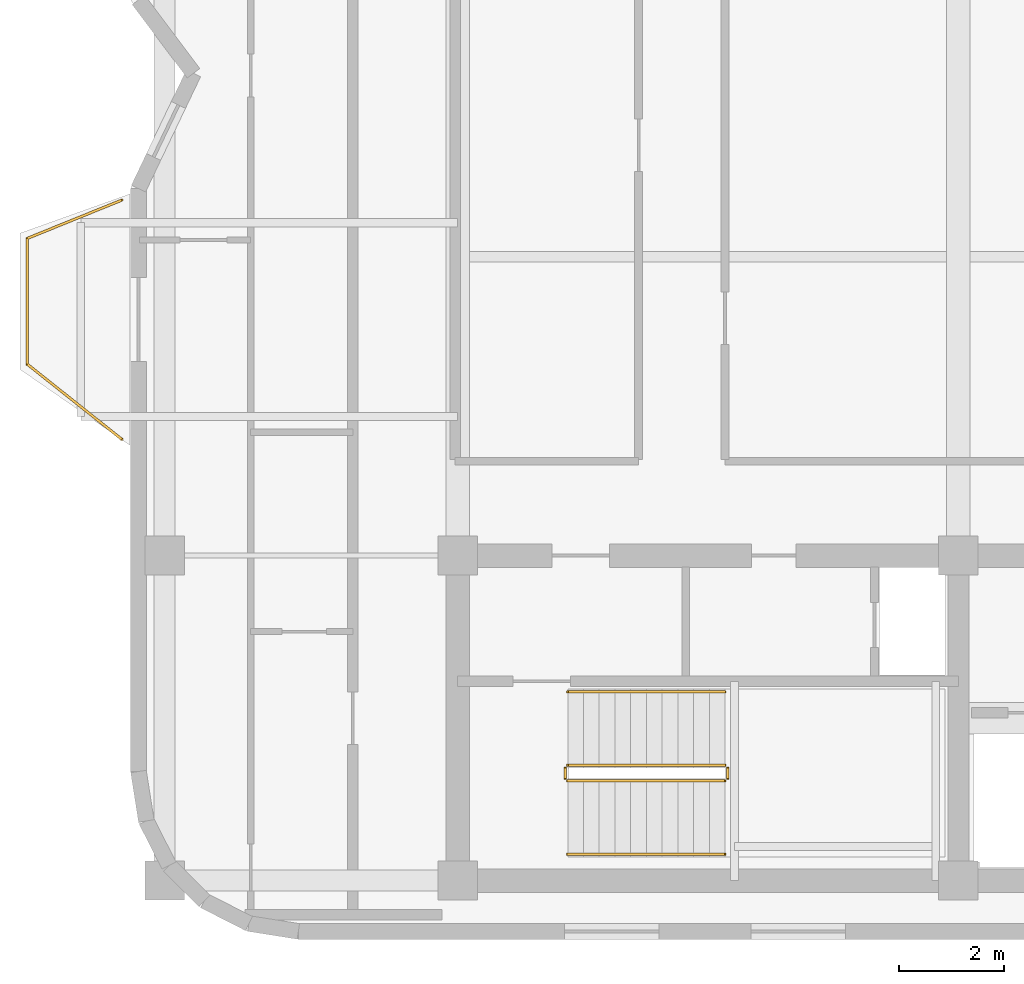
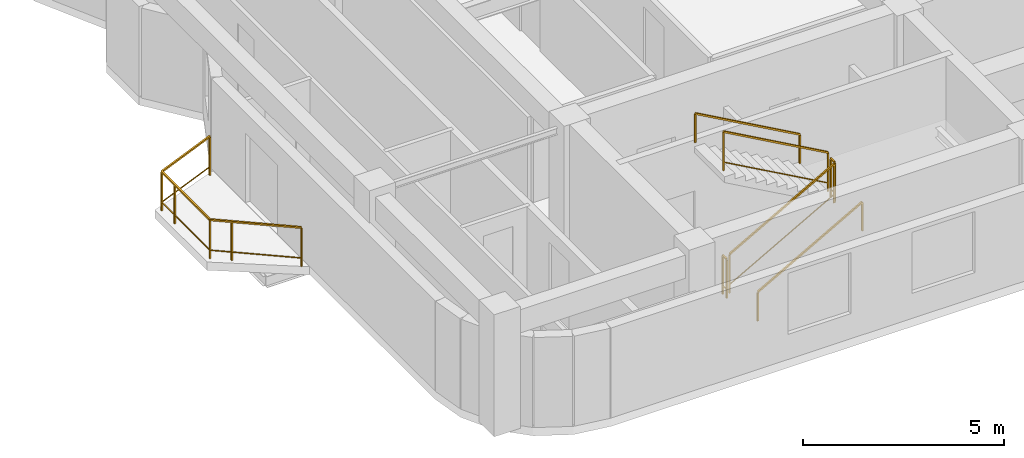
# One storey, part 7 of 8: 7 railings.
"""IFC4 building model written with IfcOpenShell, lengths in metres."""

from ifc_helpers import new_model, si_unit, direction, frame, origin, origin_2d, place, context, subcontext, project, spatial, rectangle, extrude, material, type_object, element, save


model = new_model("IFC4")

# Units and contexts
model_context = context("Model", 3, precision=1e-05, world=origin(), true_north=direction((0.0, 1.0)))
body_context = subcontext(model_context, "Body", "Model", "MODEL_VIEW")
ifc_project = project(units=[si_unit("LENGTHUNIT", "METRE"), si_unit("AREAUNIT", "SQUARE_METRE"), si_unit("VOLUMEUNIT", "CUBIC_METRE"), si_unit("PLANEANGLEUNIT", "RADIAN"), si_unit("MASSUNIT", "GRAM", prefix="KILO")], contexts=[model_context])

# Site, building, storey
site_placement = place(None, origin())
site = spatial("IfcSite", under=ifc_project, at=site_placement, CompositionType="ELEMENT")
building_placement = place(site_placement, origin())
building = spatial("IfcBuilding", under=site, at=building_placement, Name="Svetorya Sky Lyceum", CompositionType="ELEMENT")
storey_placement = place(building_placement, frame((0.0, 0.0, 278.699951171875)))
storey = spatial("IfcBuildingStorey", under=building, at=storey_placement, Name="L70", CompositionType="ELEMENT", Elevation=278.699951171875)

# Railings
ifc_material_1 = material(Name="Laminated safety glass and stainless AISI 316", Category="glass")
railing_type_1 = type_object("IfcRailingType", Name="RL-BAL-1200", PredefinedType="BALUSTRADE", material=ifc_material_1)
railing_1_placement = place(storey_placement, frame((19.18994140625, 19.02001953125, 0.0)))
element("IfcRailing", 1, at=railing_1_placement, inside=storey, type_object=railing_type_1, Name="L70 Balcony Balustrade BAL-W1", PredefinedType="BALUSTRADE", context=body_context, shape_type="SweptSolid", body=[
    extrude(rectangle(XDim=0.048095703125, YDim=0.048095703125, at=origin_2d()), frame((0.0, 0.0, 1.17578125), z_axis=(-0.783008919264, 0.622010476079, 0.0), x_axis=(-0.622010476079, -0.783008919264, 0.0)), (0.0, 0.0, 1.0), 2.298828125),
    extrude(rectangle(XDim=0.02392578125, YDim=0.02392578125, at=origin_2d()), frame((0.0, 0.0, 0.25), z_axis=(-0.783008919264, 0.622010476079, 0.0), x_axis=(-0.622010476079, -0.783008919264, 0.0)), (0.0, 0.0, 1.0), 2.298828125),
    extrude(rectangle(XDim=0.048095703125, YDim=0.048095703125, at=origin_2d()), frame((-1.800048828125, 1.429931640625, 1.17578125), z_axis=(0.0, 1.0, 0.0), x_axis=(-1.0, 0.0, 0.0)), (0.0, 0.0, 1.0), 2.400146484375),
    extrude(rectangle(XDim=0.02392578125, YDim=0.02392578125, at=origin_2d()), frame((-1.800048828125, 1.429931640625, 0.25), z_axis=(0.0, 1.0, 0.0), x_axis=(-1.0, 0.0, 0.0)), (0.0, 0.0, 1.0), 2.400146484375),
    extrude(rectangle(XDim=0.048095703125, YDim=0.048095703125, at=origin_2d()), frame((-1.800048828125, 3.830078125, 1.17578125), z_axis=(0.926697865975, 0.375807218129, 0.0), x_axis=(-0.375807218129, 0.926697865975, 0.0)), (0.0, 0.0, 1.0), 1.9423828125),
    extrude(rectangle(XDim=0.02392578125, YDim=0.02392578125, at=origin_2d()), frame((-1.800048828125, 3.830078125, 0.25), z_axis=(0.926697865975, 0.375807218129, 0.0), x_axis=(-0.375807218129, 0.926697865975, 0.0)), (0.0, 0.0, 1.0), 1.9423828125),
    extrude(rectangle(XDim=0.0419921875, YDim=0.0419921875, at=origin_2d()), origin(), (0.0, 0.0, 1.0), 1.15185546875),
    extrude(rectangle(XDim=0.0419921875, YDim=0.0419921875, at=origin_2d()), frame((-1.370361328125, 1.088623046875, 0.0)), (0.0, 0.0, 1.0), 1.15185546875),
    extrude(rectangle(XDim=0.0419921875, YDim=0.0419921875, at=origin_2d()), frame((-1.800048828125, 1.429931640625, 0.0)), (0.0, 0.0, 1.0), 1.15185546875),
    extrude(rectangle(XDim=0.0419921875, YDim=0.0419921875, at=origin_2d()), frame((-1.800048828125, 3.179931640625, 0.0)), (0.0, 0.0, 1.0), 1.15185546875),
    extrude(rectangle(XDim=0.0419921875, YDim=0.0419921875, at=origin_2d()), frame((-1.800048828125, 3.830078125, 0.0)), (0.0, 0.0, 1.0), 1.15185546875),
    extrude(rectangle(XDim=0.0419921875, YDim=0.0419921875, at=origin_2d()), frame((0.0, 4.56005859375, 0.0)), (0.0, 0.0, 1.0), 1.15185546875),
])
ifc_material_2 = material(Name="Painted galvanized stair well guard")
railing_type_2 = type_object("IfcRailingType", Name="RL-STR-GUARD-1200", PredefinedType="GUARDRAIL", material=ifc_material_2)
railing_2_placement = place(storey_placement, frame((27.699951171875, 12.5, 0.168212890625)))
element("IfcRailing", 2, at=railing_2_placement, inside=storey, type_object=railing_type_2, Name="L70 ST-S stair guard 1", PredefinedType="GUARDRAIL", context=body_context, shape_type="SweptSolid", body=[
    extrude(rectangle(XDim=0.048095703125, YDim=0.048095703125, at=origin_2d()), frame((0.0, 0.0, 1.17578125), z_axis=(0.872272294576, 0.0, 0.489020494575), x_axis=(0.0, 1.0, 0.0)), (0.0, 0.0, 1.0), 3.439208984375),
    extrude(rectangle(XDim=0.02392578125, YDim=0.02392578125, at=origin_2d()), frame((0.0, 0.0, 0.25), z_axis=(0.872272294576, 0.0, 0.489020494575), x_axis=(0.0, 1.0, 0.0)), (0.0, 0.0, 1.0), 3.439208984375),
    extrude(rectangle(XDim=0.0419921875, YDim=0.0419921875, at=origin_2d()), origin(), (0.0, 0.0, 1.0), 1.15185546875),
    extrude(rectangle(XDim=0.0419921875, YDim=0.0419921875, at=origin_2d()), frame((3.0, 0.0, 1.681884765625)), (0.0, 0.0, 1.0), 1.15185546875),
])
railing_3_placement = place(storey_placement, frame((30.75, 12.550048828125, 1.85009765625)))
element("IfcRailing", 3, at=railing_3_placement, inside=storey, type_object=railing_type_2, Name="L70 ST-S stair guard 2", PredefinedType="GUARDRAIL", context=body_context, shape_type="SweptSolid", body=[
    extrude(rectangle(XDim=0.048095703125, YDim=0.048095703125, at=origin_2d()), frame((0.0, 0.0, 1.17578125), z_axis=(0.0, 1.0, 0.0), x_axis=(-1.0, 0.0, 0.0)), (0.0, 0.0, 1.0), 0.199951171875),
    extrude(rectangle(XDim=0.02392578125, YDim=0.02392578125, at=origin_2d()), frame((0.0, 0.0, 0.25), z_axis=(0.0, 1.0, 0.0), x_axis=(-1.0, 0.0, 0.0)), (0.0, 0.0, 1.0), 0.199951171875),
    extrude(rectangle(XDim=0.0419921875, YDim=0.0419921875, at=origin_2d()), origin(), (0.0, 0.0, 1.0), 1.15185546875),
    extrude(rectangle(XDim=0.0419921875, YDim=0.0419921875, at=origin_2d()), frame((0.0, 0.199951171875, 0.0)), (0.0, 0.0, 1.0), 1.15185546875),
])
railing_4_placement = place(storey_placement, frame((30.699951171875, 12.800048828125, 2.018310546875)))
element("IfcRailing", 4, at=railing_4_placement, inside=storey, type_object=railing_type_2, Name="L70 ST-S stair guard 3", PredefinedType="GUARDRAIL", context=body_context, shape_type="SweptSolid", body=[
    extrude(rectangle(XDim=0.048095703125, YDim=0.048095703125, at=origin_2d()), frame((0.0, 0.0, 1.17578125), z_axis=(-0.872302573547, 0.0, 0.488966481656), x_axis=(0.0, -1.0, 0.0)), (0.0, 0.0, 1.0), 3.439208984375),
    extrude(rectangle(XDim=0.02392578125, YDim=0.02392578125, at=origin_2d()), frame((0.0, 0.0, 0.25), z_axis=(-0.872302573547, 0.0, 0.488966481656), x_axis=(0.0, -1.0, 0.0)), (0.0, 0.0, 1.0), 3.439208984375),
    extrude(rectangle(XDim=0.0419921875, YDim=0.0419921875, at=origin_2d()), origin(), (0.0, 0.0, 1.0), 1.15185546875),
    extrude(rectangle(XDim=0.0419921875, YDim=0.0419921875, at=origin_2d()), frame((-3.0, 0.0, 1.681640625)), (0.0, 0.0, 1.0), 1.15185546875),
])
railing_5_placement = place(storey_placement, frame((27.64990234375, 12.550048828125, 0.0)))
element("IfcRailing", 5, at=railing_5_placement, inside=storey, type_object=railing_type_2, Name="L70 ST-S stair guard 4", PredefinedType="GUARDRAIL", context=body_context, shape_type="SweptSolid", body=[
    extrude(rectangle(XDim=0.048095703125, YDim=0.048095703125, at=origin_2d()), frame((0.0, 0.0, 1.17578125), z_axis=(0.0, 1.0, 0.0), x_axis=(-1.0, 0.0, 0.0)), (0.0, 0.0, 1.0), 0.199951171875),
    extrude(rectangle(XDim=0.02392578125, YDim=0.02392578125, at=origin_2d()), frame((0.0, 0.0, 0.25), z_axis=(0.0, 1.0, 0.0), x_axis=(-1.0, 0.0, 0.0)), (0.0, 0.0, 1.0), 0.199951171875),
    extrude(rectangle(XDim=0.0419921875, YDim=0.0419921875, at=origin_2d()), origin(), (0.0, 0.0, 1.0), 1.15185546875),
    extrude(rectangle(XDim=0.0419921875, YDim=0.0419921875, at=origin_2d()), frame((0.0, 0.199951171875, 0.0)), (0.0, 0.0, 1.0), 1.15185546875),
])
ifc_material_3 = material(Name="Brushed stainless AISI 304 stair handrail")
railing_type_3 = type_object("IfcRailingType", Name="RL-STR-HAND-920", PredefinedType="HANDRAIL", material=ifc_material_3)
railing_6_placement = place(storey_placement, frame((27.699951171875, 11.10009765625, 0.168212890625)))
element("IfcRailing", 6, at=railing_6_placement, inside=storey, type_object=railing_type_3, Name="L70 ST-S stair handrail 1", PredefinedType="HANDRAIL", context=body_context, shape_type="SweptSolid", body=[
    extrude(rectangle(XDim=0.048095703125, YDim=0.048095703125, at=origin_2d()), frame((0.0, 0.0, 0.8759765625), z_axis=(0.872272294576, 0.0, 0.489020494575), x_axis=(0.0, 1.0, 0.0)), (0.0, 0.0, 1.0), 3.439208984375),
    extrude(rectangle(XDim=0.0419921875, YDim=0.0419921875, at=origin_2d()), origin(), (0.0, 0.0, 1.0), 0.851806640625),
    extrude(rectangle(XDim=0.0419921875, YDim=0.0419921875, at=origin_2d()), frame((3.0, 0.0, 1.681884765625)), (0.0, 0.0, 1.0), 0.851806640625),
])
railing_7_placement = place(storey_placement, frame((30.699951171875, 14.199951171875, 2.018310546875)))
element("IfcRailing", 7, at=railing_7_placement, inside=storey, type_object=railing_type_3, Name="L70 ST-S stair handrail 2", PredefinedType="HANDRAIL", context=body_context, shape_type="SweptSolid", body=[
    extrude(rectangle(XDim=0.048095703125, YDim=0.048095703125, at=origin_2d()), frame((0.0, 0.0, 0.8759765625), z_axis=(-0.872302573547, 0.0, 0.488966481656), x_axis=(0.0, -1.0, 0.0)), (0.0, 0.0, 1.0), 3.439208984375),
    extrude(rectangle(XDim=0.0419921875, YDim=0.0419921875, at=origin_2d()), origin(), (0.0, 0.0, 1.0), 0.851806640625),
    extrude(rectangle(XDim=0.0419921875, YDim=0.0419921875, at=origin_2d()), frame((-3.0, 0.0, 1.681640625)), (0.0, 0.0, 1.0), 0.851806640625),
])

save(model, "model.ifc")
